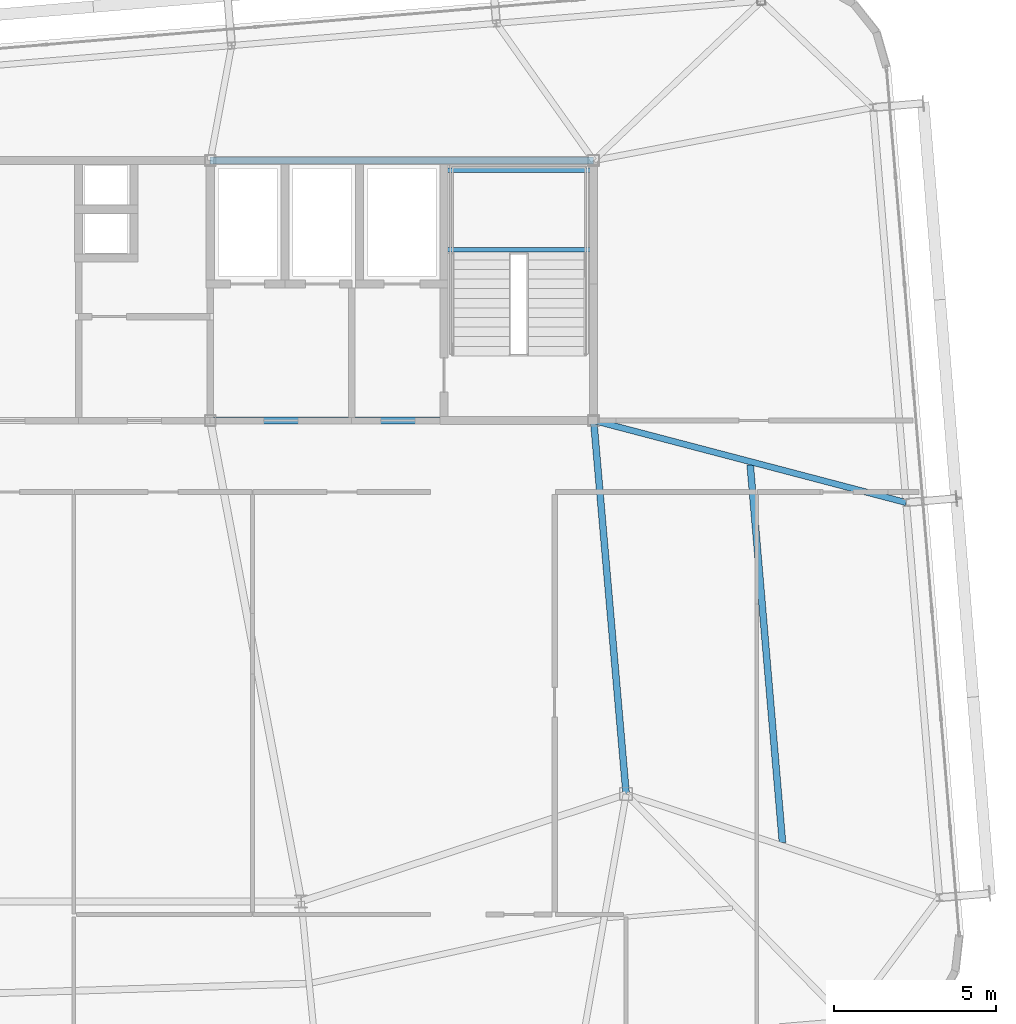
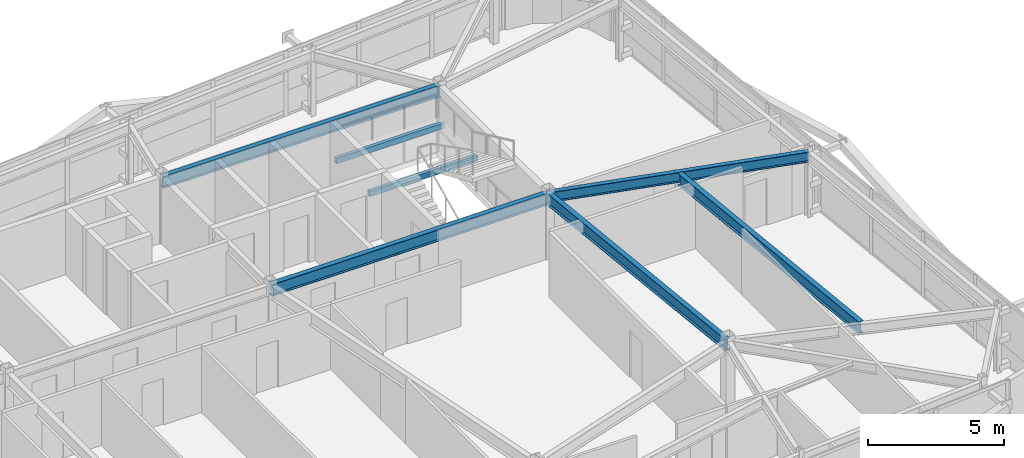
# One storey, part 24 of 44: 7 beams.
"""IFC4 building model written with IfcOpenShell, lengths in metres."""

import ifcopenshell
import ifcopenshell.guid

model = None  # the IFC model being written
_history = None  # IfcOwnerHistory: only IFC2X3 demands one
_inside = {}  # id of a spatial element -> (the spatial element, [elements in it])
_under = {}  # id of a project, library or spatial element -> (it, [spatial elements below it])
_declared = {}  # id of a project -> (the project, [libraries it declares])
_typed = {}  # id of a type object -> (the type object, [elements of that type])
_made_of = {}  # id of a material, layer set ... -> (it, [elements and type objects made of it])


def new_model(schema):
    """Start an empty IFC model of exactly this schema.

    Asked for "IFC4X3", IfcOpenShell would pick the latest addendum, in which some entities
    have other attributes; the version numbers below select the first issue.
    IFC2X3 requires an IfcOwnerHistory on every rooted entity: one is made here for all.
    """
    global model, _history
    if schema == "IFC4X3":
        model = ifcopenshell.file(schema_version=(4, 3, 0, 0))
    else:
        model = ifcopenshell.file(schema=schema)
    _inside.clear()
    _under.clear()
    _declared.clear()
    _typed.clear()
    _made_of.clear()
    _history = None
    if model.schema == "IFC2X3":
        org = make("IfcOrganization", Name="unknown")
        user = make(
            "IfcPersonAndOrganization",
            ThePerson=make("IfcPerson", FamilyName="unknown"),
            TheOrganization=org,
        )
        app = make(
            "IfcApplication",
            ApplicationDeveloper=org,
            Version="unknown",
            ApplicationFullName="unknown",
            ApplicationIdentifier="unknown",
        )
        _history = make(
            "IfcOwnerHistory",
            OwningUser=user,
            OwningApplication=app,
            ChangeAction="ADDED",
            CreationDate=0,
        )
    return model


def make(cls, **values):
    """One entity of the class cls with the attributes given. An attribute that is None is left unset."""
    return model.create_entity(
        cls, **{name: value for name, value in values.items() if value is not None}
    )


def rooted(cls, **values):
    """An entity with a GlobalId (a new one), such as an element, a storey or a relation."""
    return make(cls, GlobalId=ifcopenshell.guid.new(), OwnerHistory=_history, **values)


def si_unit(unit_type, name, prefix=None):
    """IfcSIUnit, for example si_unit("LENGTHUNIT", "METRE", prefix="MILLI")."""
    return make("IfcSIUnit", UnitType=unit_type, Prefix=prefix, Name=name)


def assignment(units):
    """IfcUnitAssignment: the units of a project."""
    return None if units is None else make("IfcUnitAssignment", Units=units)


def point(xyz):
    """IfcCartesianPoint."""
    return None if xyz is None else make("IfcCartesianPoint", Coordinates=xyz)


def direction(xyz):
    """IfcDirection."""
    return None if xyz is None else make("IfcDirection", DirectionRatios=xyz)


def frame(location, z_axis=None, x_axis=None):
    """IfcAxis2Placement3D, a coordinate frame: its origin and axes. An axis left out is left unset."""
    return make(
        "IfcAxis2Placement3D",
        Location=point(location),
        Axis=direction(z_axis),
        RefDirection=direction(x_axis),
    )


def frame_2d(location, x_axis=None):
    """IfcAxis2Placement2D, a coordinate frame in the plane: its origin and x axis."""
    return make(
        "IfcAxis2Placement2D", Location=point(location), RefDirection=direction(x_axis)
    )


def origin():
    """The frame at (0, 0, 0) with its axes left unset."""
    return frame((0.0, 0.0, 0.0))


def origin_2d():
    """The frame at (0, 0) in the plane with its x axis left unset."""
    return frame_2d((0.0, 0.0))


def place(relative_to, where):
    """IfcLocalPlacement: puts the frame where relative to a parent placement (None: the world)."""
    return make(
        "IfcLocalPlacement", PlacementRelTo=relative_to, RelativePlacement=where
    )


def context(
    kind, dimensions, precision=None, world=None, true_north=None, identifier=None
):
    """IfcGeometricRepresentationContext, for example the 3D "Model" context."""
    return make(
        "IfcGeometricRepresentationContext",
        ContextIdentifier=identifier,
        ContextType=kind,
        CoordinateSpaceDimension=dimensions,
        Precision=precision,
        WorldCoordinateSystem=world,
        TrueNorth=true_north,
    )


def subcontext(parent, identifier, kind, view, scale=None):
    """IfcGeometricRepresentationSubContext, for example "Body" below "Model"."""
    return make(
        "IfcGeometricRepresentationSubContext",
        ContextIdentifier=identifier,
        ContextType=kind,
        ParentContext=parent,
        TargetScale=scale,
        TargetView=view,
    )


def project(units=None, contexts=None):
    """IfcProject with its units and contexts."""
    return rooted(
        "IfcProject",
        Name="project",
        RepresentationContexts=contexts,
        UnitsInContext=assignment(units),
    )


def spatial(cls, under=None, at=None, **own):
    """A site, building, storey or space (cls), placed at a placement, below another one or the project."""
    s = rooted(cls, ObjectPlacement=at, **own)
    if under is not None:
        _under.setdefault(under.id(), (under, []))[1].append(s)
    return s


def profile(cls, at=None, kind="AREA", **sizes):
    """A parametric profile (cls). Its sizes go by their IFC names, for example OverallWidth=200.0."""
    return make(cls, ProfileType=kind, Position=at, **sizes)


def hollow_rectangle(**sizes):
    """IfcRectangleHollowProfileDef."""
    return profile("IfcRectangleHollowProfileDef", **sizes)


def i_section(**sizes):
    """IfcIShapeProfileDef."""
    return profile("IfcIShapeProfileDef", **sizes)


def extrude(swept, where, along, depth):
    """IfcExtrudedAreaSolid: the profile swept, set in the frame where, extruded along a direction by depth."""
    return make(
        "IfcExtrudedAreaSolid",
        SweptArea=swept,
        Position=where,
        ExtrudedDirection=direction(along),
        Depth=depth,
    )


def shape(context_of_items, identifier, shape_type, items):
    """IfcShapeRepresentation: the items that make up one representation, for example the "Body"."""
    return make(
        "IfcShapeRepresentation",
        ContextOfItems=context_of_items,
        RepresentationIdentifier=identifier,
        RepresentationType=shape_type,
        Items=items,
    )


def source(mapping_origin, context_of_items, identifier, shape_type, items):
    """IfcRepresentationMap: a shape defined once, which mapped items show again and again."""
    return make(
        "IfcRepresentationMap",
        MappingOrigin=mapping_origin,
        MappedRepresentation=shape(context_of_items, identifier, shape_type, items),
    )


def transform(
    local_origin,
    x_axis=None,
    y_axis=None,
    z_axis=None,
    scale=None,
    scale2=None,
    scale3=None,
    uniform=True,
):
    """IfcCartesianTransformationOperator3D, or its non-uniform kind. x_axis, y_axis, z_axis: its Axis1, 2, 3."""
    if uniform:
        return make(
            "IfcCartesianTransformationOperator3D",
            Axis1=direction(x_axis),
            Axis2=direction(y_axis),
            LocalOrigin=point(local_origin),
            Scale=scale,
            Axis3=direction(z_axis),
        )
    return make(
        "IfcCartesianTransformationOperator3DnonUniform",
        Axis1=direction(x_axis),
        Axis2=direction(y_axis),
        LocalOrigin=point(local_origin),
        Scale=scale,
        Axis3=direction(z_axis),
        Scale2=scale2,
        Scale3=scale3,
    )


def mapped(mapping_source, mapping_target):
    """IfcMappedItem: shows the shape of a source again, moved by a transform."""
    return make(
        "IfcMappedItem", MappingSource=mapping_source, MappingTarget=mapping_target
    )


def material(Name=None, Category=None):
    """IfcMaterial."""
    return make("IfcMaterial", Name=Name, Category=Category)


def material_profile(
    of_material, cross_section, Name=None, Category=None, Priority=None
):
    """IfcMaterialProfile: a cross section and its material."""
    return make(
        "IfcMaterialProfile",
        Name=Name,
        Material=of_material,
        Profile=cross_section,
        Priority=Priority,
        Category=Category,
    )


def profile_set(profiles, Name=None, composite=None):
    """IfcMaterialProfileSet."""
    return make(
        "IfcMaterialProfileSet",
        Name=Name,
        MaterialProfiles=profiles,
        CompositeProfile=composite,
    )


def made_of(thing, what):
    """Note that an element or type object is made of a material, layer set ...; save() writes the relation."""
    if what is not None:
        _made_of.setdefault(what.id(), (what, []))[1].append(thing)
    return thing


def type_object(cls, material=None, **own):
    """A type object (cls), such as IfcWallType, which elements share."""
    return made_of(rooted(cls, **own), material)


def element(
    cls,
    number,
    at=None,
    inside=None,
    cuts=None,
    type_object=None,
    material=None,
    context=None,
    identifier="Body",
    shape_type=None,
    held_by="IfcProductDefinitionShape",
    body=None,
    shapes=None,
    **own,
):
    """One element of the class cls, such as IfcWall. Its Tag is "e" and its number.

    at: its placement. inside: the storey or other place that contains it. cuts: it is an
    opening in that element (IfcRelVoidsElement). A single representation is given by context,
    identifier, shape_type and body (its items); several are given by shapes. held_by: the class
    of the entity that holds the representations. save() writes the other relations.
    """
    e = rooted(cls, Tag="e%d" % number, ObjectPlacement=at, **own)
    if body is not None:
        shapes = [shape(context, identifier, shape_type, body)]
    if shapes is not None:
        e.Representation = make(held_by, Representations=shapes)
    if inside is not None:
        _inside.setdefault(inside.id(), (inside, []))[1].append(e)
    if cuts is not None:
        rooted(
            "IfcRelVoidsElement", RelatingBuildingElement=cuts, RelatedOpeningElement=e
        )
    if type_object is not None:
        _typed.setdefault(type_object.id(), (type_object, []))[1].append(e)
    return made_of(e, material)


def aggregate(whole, parts):
    """IfcRelAggregates: a whole, such as a stair, and the parts it consists of."""
    return rooted("IfcRelAggregates", RelatingObject=whole, RelatedObjects=parts)


def save(model, path):
    """Write the relations noted so far, then the file.

    IfcRelAggregates (storeys below a building ...), IfcRelContainedInSpatialStructure (elements
    in a storey), IfcRelDefinesByType, IfcRelAssociatesMaterial and IfcRelDeclares: one each for
    every whole, place, type object, material and project.
    """
    for whole, parts in _under.values():
        aggregate(whole, parts)
    for where, things in _inside.values():
        rooted(
            "IfcRelContainedInSpatialStructure",
            RelatedElements=things,
            RelatingStructure=where,
        )
    for kind, things in _typed.values():
        rooted("IfcRelDefinesByType", RelatedObjects=things, RelatingType=kind)
    for what, things in _made_of.values():
        rooted("IfcRelAssociatesMaterial", RelatedObjects=things, RelatingMaterial=what)
    for by, libraries in _declared.values():
        rooted("IfcRelDeclares", RelatingContext=by, RelatedDefinitions=libraries)
    model.write(path)


model = new_model("IFC4")

# Units and contexts
model_context = context("Model", 3, precision=1e-05, world=origin(), true_north=direction((0.0, 1.0)))
body_context = subcontext(model_context, "Body", "Model", "MODEL_VIEW")
ifc_project = project(units=[si_unit("LENGTHUNIT", "METRE"), si_unit("AREAUNIT", "SQUARE_METRE"), si_unit("VOLUMEUNIT", "CUBIC_METRE"), si_unit("PLANEANGLEUNIT", "RADIAN"), si_unit("MASSUNIT", "GRAM", prefix="KILO")], contexts=[model_context])

# Site, building, storey
site_placement = place(None, origin())
site = spatial("IfcSite", under=ifc_project, at=site_placement, CompositionType="ELEMENT")
building_placement = place(site_placement, origin())
building = spatial("IfcBuilding", under=site, at=building_placement, Name="Taldren Reach Tower", CompositionType="ELEMENT")
storey_placement = place(building_placement, frame((0.0, 0.0, 191.449951171875)))
storey = spatial("IfcBuildingStorey", under=building, at=storey_placement, Name="L58", CompositionType="ELEMENT", Elevation=191.449951171875)

# Beams
ifc_material_1 = material(Name="Steel Gr 350 (350PLUS)", Category="steel")
ifc_material_profile_1 = material_profile(ifc_material_1, i_section(OverallWidth=0.208984375, OverallDepth=0.532958984375, WebThickness=0.01025390625, FlangeThickness=0.015625, at=origin_2d()), Name="530UB92.4")
ifc_profile_set_1 = profile_set([ifc_material_profile_1], Name="Steel Gr 350 (350PLUS)")
beam_type_1 = type_object("IfcBeamType", Name="BM-UB530A", PredefinedType="BEAM", material=ifc_profile_set_1)
shared_shape_1 = source(origin(), body_context, "Body", "SweptSolid", [
    extrude(i_section(OverallWidth=0.208984375, OverallDepth=0.532958984375, WebThickness=0.01025390625, FlangeThickness=0.015625, at=origin_2d()), origin(), (0.0, 0.0, 1.0), 11.800048828125),
])
for number, where, z_axis, x_axis, name in (
    (1, (39.199951171875, 24.0, 2.66357421875), (1.0, 0.0, 0.0), (0.0, 1.0, 0.0), "Core-spine girder L58-SP03"),
    (2, (39.199951171875, 32.0, 2.66357421875), (1.0, 0.0, 0.0), (0.0, 1.0, 0.0), "Core-spine girder L58-SP06"),
):
    element("IfcBeam", number, at=place(storey_placement, frame(where, z_axis=z_axis, x_axis=x_axis)), inside=storey, type_object=beam_type_1, Name=name, PredefinedType="BEAM", context=body_context, shape_type="MappedRepresentation", body=[
        mapped(shared_shape_1, transform((0.0, 0.0, 0.0), scale=1.0)),
    ])
shared_shape_2 = source(origin(), body_context, "Body", "SweptSolid", [
    extrude(i_section(OverallWidth=0.208984375, OverallDepth=0.532958984375, WebThickness=0.01025390625, FlangeThickness=0.015625, at=origin_2d()), origin(), (0.0, 0.0, 1.0), 11.54345703125),
])
beam_1_placement = place(storey_placement, frame((52.0, 12.5, 2.66357421875), z_axis=(-0.086629616365, 0.996240588196, 0.0), x_axis=(-0.996240588196, -0.086629616365, 0.0)))
element("IfcBeam", 3, at=beam_1_placement, inside=storey, type_object=beam_type_1, Name="Core-spine girder L58-SP13", PredefinedType="BEAM", context=body_context, shape_type="MappedRepresentation", body=[
    mapped(shared_shape_2, transform((0.0, 0.0, 0.0), scale=1.0)),
])
ifc_material_profile_2 = material_profile(ifc_material_1, i_section(OverallWidth=0.19091796875, OverallDepth=0.4599609375, WebThickness=0.010009765625, FlangeThickness=0.01611328125, at=origin_2d()), Name="460UB82.1")
ifc_profile_set_2 = profile_set([ifc_material_profile_2], Name="Steel Gr 350 (350PLUS)")
beam_type_2 = type_object("IfcBeamType", Name="BM-UB460A", PredefinedType="BEAM", material=ifc_profile_set_2)
shared_shape_3 = source(origin(), body_context, "Body", "SweptSolid", [
    extrude(i_section(OverallWidth=0.19091796875, OverallDepth=0.4599609375, WebThickness=0.010009765625, FlangeThickness=0.01611328125, at=origin_2d()), origin(), (0.0, 0.0, 1.0), 9.943115234375),
])
beam_2_placement = place(storey_placement, frame((51.0, 24.0, 2.699951171875), z_axis=(0.967215285987, -0.253957851923, 0.0), x_axis=(0.253957851923, 0.967215285987, 0.0)))
element("IfcBeam", 4, at=beam_2_placement, inside=storey, type_object=beam_type_2, Name="Primary floor girder B4-E2 L58", PredefinedType="BEAM", context=body_context, shape_type="MappedRepresentation", body=[
    mapped(shared_shape_3, transform((0.0, 0.0, 0.0), scale=1.0)),
])
shared_shape_4 = source(origin(), body_context, "Body", "SweptSolid", [
    extrude(i_section(OverallWidth=0.208984375, OverallDepth=0.532958984375, WebThickness=0.01025390625, FlangeThickness=0.015625, at=origin_2d()), origin(), (0.0, 0.0, 1.0), 11.66650390625),
])
beam_3_placement = place(storey_placement, frame((56.810302734375, 11.01220703125, 2.66357421875), z_axis=(-0.085128704566, 0.996369963246, 0.0), x_axis=(-0.996369963246, -0.085128704566, 0.0)))
element("IfcBeam", 5, at=beam_3_placement, inside=storey, type_object=beam_type_1, Name="Secondary floor beam B4 J7 L58", PredefinedType="BEAM", context=body_context, shape_type="MappedRepresentation", body=[
    mapped(shared_shape_4, transform((0.0, 0.0, 0.0), scale=1.0)),
])
ifc_material_2 = material(Name="Steel Gr 350 (C350L0)", Category="steel")
ifc_material_profile_3 = material_profile(ifc_material_2, hollow_rectangle(XDim=0.14990234375, YDim=0.25, WallThickness=0.009033203125, at=origin_2d()), Name="250x150x9.0RHS")
ifc_profile_set_3 = profile_set([ifc_material_profile_3], Name="Steel Gr 350 (C350L0)")
beam_type_3 = type_object("IfcBeamType", Name="LN-RHS250", PredefinedType="LINTEL", material=ifc_profile_set_3)
shared_shape_5 = source(origin(), body_context, "Body", "SweptSolid", [
    extrude(hollow_rectangle(XDim=0.14990234375, YDim=0.25, WallThickness=0.009033203125, at=origin_2d()), origin(), (0.0, 0.0, 1.0), 4.60009765625),
])
for number, where, z_axis, x_axis, name in (
    (6, (46.39990234375, 29.2548828125, 1.27001953125), (1.0, 0.0, 0.0), (0.0, 1.0, 0.0), "Stair half-landing support beam ST2-L58-1"),
    (7, (46.39990234375, 31.699951171875, 1.27001953125), (1.0, 0.0, 0.0), (0.0, 1.0, 0.0), "Stair half-landing support beam ST2-L58-2"),
):
    element("IfcBeam", number, at=place(storey_placement, frame(where, z_axis=z_axis, x_axis=x_axis)), inside=storey, type_object=beam_type_3, Name=name, PredefinedType="LINTEL", context=body_context, shape_type="MappedRepresentation", body=[
        mapped(shared_shape_5, transform((0.0, 0.0, 0.0), scale=1.0)),
    ])

save(model, "model.ifc")
